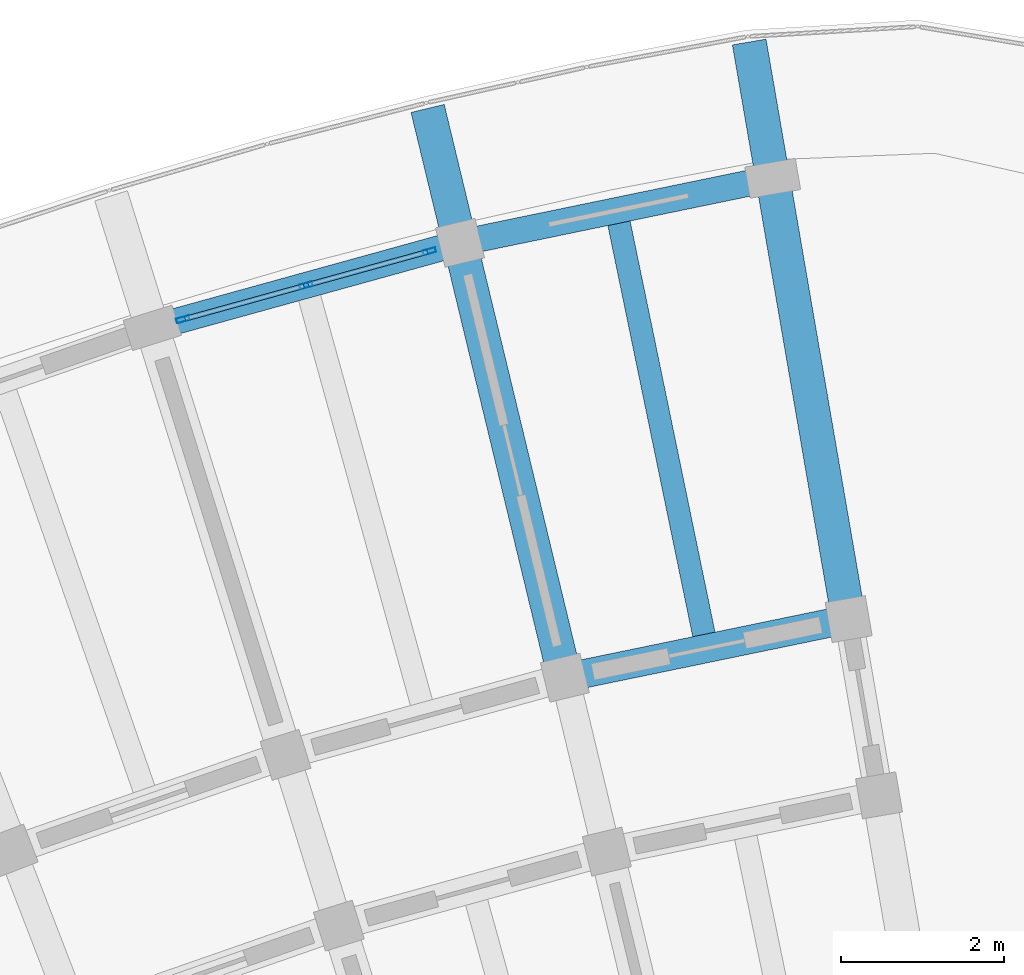
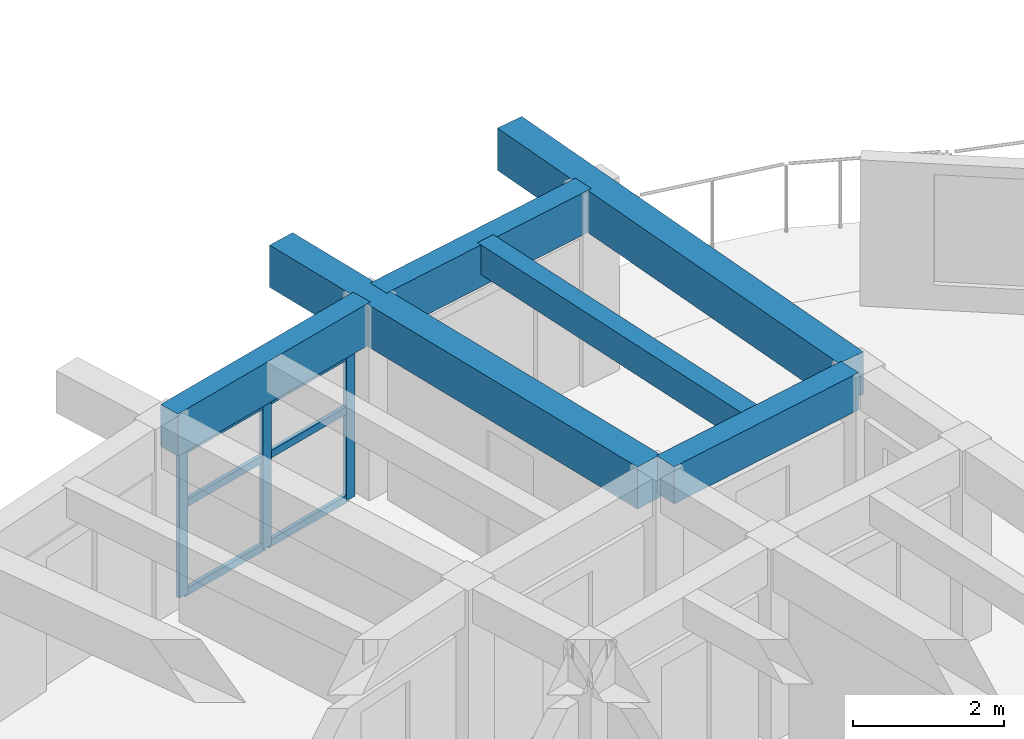
# One storey, part 18 of 62: 9 members, 6 beams, 1 element without a shape of its own.
"""IFC4 building model written with IfcOpenShell, lengths in metres."""

import ifcopenshell
import ifcopenshell.guid

model = None  # the IFC model being written
_history = None  # IfcOwnerHistory: only IFC2X3 demands one
_inside = {}  # id of a spatial element -> (the spatial element, [elements in it])
_under = {}  # id of a project, library or spatial element -> (it, [spatial elements below it])
_declared = {}  # id of a project -> (the project, [libraries it declares])
_typed = {}  # id of a type object -> (the type object, [elements of that type])
_made_of = {}  # id of a material, layer set ... -> (it, [elements and type objects made of it])


def new_model(schema):
    """Start an empty IFC model of exactly this schema.

    Asked for "IFC4X3", IfcOpenShell would pick the latest addendum, in which some entities
    have other attributes; the version numbers below select the first issue.
    IFC2X3 requires an IfcOwnerHistory on every rooted entity: one is made here for all.
    """
    global model, _history
    if schema == "IFC4X3":
        model = ifcopenshell.file(schema_version=(4, 3, 0, 0))
    else:
        model = ifcopenshell.file(schema=schema)
    _inside.clear()
    _under.clear()
    _declared.clear()
    _typed.clear()
    _made_of.clear()
    _history = None
    if model.schema == "IFC2X3":
        org = make("IfcOrganization", Name="unknown")
        user = make(
            "IfcPersonAndOrganization",
            ThePerson=make("IfcPerson", FamilyName="unknown"),
            TheOrganization=org,
        )
        app = make(
            "IfcApplication",
            ApplicationDeveloper=org,
            Version="unknown",
            ApplicationFullName="unknown",
            ApplicationIdentifier="unknown",
        )
        _history = make(
            "IfcOwnerHistory",
            OwningUser=user,
            OwningApplication=app,
            ChangeAction="ADDED",
            CreationDate=0,
        )
    return model


def make(cls, **values):
    """One entity of the class cls with the attributes given. An attribute that is None is left unset."""
    return model.create_entity(
        cls, **{name: value for name, value in values.items() if value is not None}
    )


def rooted(cls, **values):
    """An entity with a GlobalId (a new one), such as an element, a storey or a relation."""
    return make(cls, GlobalId=ifcopenshell.guid.new(), OwnerHistory=_history, **values)


def si_unit(unit_type, name, prefix=None):
    """IfcSIUnit, for example si_unit("LENGTHUNIT", "METRE", prefix="MILLI")."""
    return make("IfcSIUnit", UnitType=unit_type, Prefix=prefix, Name=name)


def assignment(units):
    """IfcUnitAssignment: the units of a project."""
    return None if units is None else make("IfcUnitAssignment", Units=units)


def point(xyz):
    """IfcCartesianPoint."""
    return None if xyz is None else make("IfcCartesianPoint", Coordinates=xyz)


def direction(xyz):
    """IfcDirection."""
    return None if xyz is None else make("IfcDirection", DirectionRatios=xyz)


def frame(location, z_axis=None, x_axis=None):
    """IfcAxis2Placement3D, a coordinate frame: its origin and axes. An axis left out is left unset."""
    return make(
        "IfcAxis2Placement3D",
        Location=point(location),
        Axis=direction(z_axis),
        RefDirection=direction(x_axis),
    )


def frame_2d(location, x_axis=None):
    """IfcAxis2Placement2D, a coordinate frame in the plane: its origin and x axis."""
    return make(
        "IfcAxis2Placement2D", Location=point(location), RefDirection=direction(x_axis)
    )


def origin():
    """The frame at (0, 0, 0) with its axes left unset."""
    return frame((0.0, 0.0, 0.0))


def origin_2d():
    """The frame at (0, 0) in the plane with its x axis left unset."""
    return frame_2d((0.0, 0.0))


def place(relative_to, where):
    """IfcLocalPlacement: puts the frame where relative to a parent placement (None: the world)."""
    return make(
        "IfcLocalPlacement", PlacementRelTo=relative_to, RelativePlacement=where
    )


def context(
    kind, dimensions, precision=None, world=None, true_north=None, identifier=None
):
    """IfcGeometricRepresentationContext, for example the 3D "Model" context."""
    return make(
        "IfcGeometricRepresentationContext",
        ContextIdentifier=identifier,
        ContextType=kind,
        CoordinateSpaceDimension=dimensions,
        Precision=precision,
        WorldCoordinateSystem=world,
        TrueNorth=true_north,
    )


def subcontext(parent, identifier, kind, view, scale=None):
    """IfcGeometricRepresentationSubContext, for example "Body" below "Model"."""
    return make(
        "IfcGeometricRepresentationSubContext",
        ContextIdentifier=identifier,
        ContextType=kind,
        ParentContext=parent,
        TargetScale=scale,
        TargetView=view,
    )


def project(units=None, contexts=None):
    """IfcProject with its units and contexts."""
    return rooted(
        "IfcProject",
        Name="project",
        RepresentationContexts=contexts,
        UnitsInContext=assignment(units),
    )


def spatial(cls, under=None, at=None, **own):
    """A site, building, storey or space (cls), placed at a placement, below another one or the project."""
    s = rooted(cls, ObjectPlacement=at, **own)
    if under is not None:
        _under.setdefault(under.id(), (under, []))[1].append(s)
    return s


def profile(cls, at=None, kind="AREA", **sizes):
    """A parametric profile (cls). Its sizes go by their IFC names, for example OverallWidth=200.0."""
    return make(cls, ProfileType=kind, Position=at, **sizes)


def rectangle(**sizes):
    """IfcRectangleProfileDef."""
    return profile("IfcRectangleProfileDef", **sizes)


def hollow_rectangle(**sizes):
    """IfcRectangleHollowProfileDef."""
    return profile("IfcRectangleHollowProfileDef", **sizes)


def extrude(swept, where, along, depth):
    """IfcExtrudedAreaSolid: the profile swept, set in the frame where, extruded along a direction by depth."""
    return make(
        "IfcExtrudedAreaSolid",
        SweptArea=swept,
        Position=where,
        ExtrudedDirection=direction(along),
        Depth=depth,
    )


def shape(context_of_items, identifier, shape_type, items):
    """IfcShapeRepresentation: the items that make up one representation, for example the "Body"."""
    return make(
        "IfcShapeRepresentation",
        ContextOfItems=context_of_items,
        RepresentationIdentifier=identifier,
        RepresentationType=shape_type,
        Items=items,
    )


def material(Name=None, Category=None):
    """IfcMaterial."""
    return make("IfcMaterial", Name=Name, Category=Category)


def material_profile(
    of_material, cross_section, Name=None, Category=None, Priority=None
):
    """IfcMaterialProfile: a cross section and its material."""
    return make(
        "IfcMaterialProfile",
        Name=Name,
        Material=of_material,
        Profile=cross_section,
        Priority=Priority,
        Category=Category,
    )


def profile_set(profiles, Name=None, composite=None):
    """IfcMaterialProfileSet."""
    return make(
        "IfcMaterialProfileSet",
        Name=Name,
        MaterialProfiles=profiles,
        CompositeProfile=composite,
    )


def made_of(thing, what):
    """Note that an element or type object is made of a material, layer set ...; save() writes the relation."""
    if what is not None:
        _made_of.setdefault(what.id(), (what, []))[1].append(thing)
    return thing


def type_object(cls, material=None, **own):
    """A type object (cls), such as IfcWallType, which elements share."""
    return made_of(rooted(cls, **own), material)


def element(
    cls,
    number,
    at=None,
    inside=None,
    cuts=None,
    type_object=None,
    material=None,
    context=None,
    identifier="Body",
    shape_type=None,
    held_by="IfcProductDefinitionShape",
    body=None,
    shapes=None,
    **own,
):
    """One element of the class cls, such as IfcWall. Its Tag is "e" and its number.

    at: its placement. inside: the storey or other place that contains it. cuts: it is an
    opening in that element (IfcRelVoidsElement). A single representation is given by context,
    identifier, shape_type and body (its items); several are given by shapes. held_by: the class
    of the entity that holds the representations. save() writes the other relations.
    """
    e = rooted(cls, Tag="e%d" % number, ObjectPlacement=at, **own)
    if body is not None:
        shapes = [shape(context, identifier, shape_type, body)]
    if shapes is not None:
        e.Representation = make(held_by, Representations=shapes)
    if inside is not None:
        _inside.setdefault(inside.id(), (inside, []))[1].append(e)
    if cuts is not None:
        rooted(
            "IfcRelVoidsElement", RelatingBuildingElement=cuts, RelatedOpeningElement=e
        )
    if type_object is not None:
        _typed.setdefault(type_object.id(), (type_object, []))[1].append(e)
    return made_of(e, material)


def aggregate(whole, parts):
    """IfcRelAggregates: a whole, such as a stair, and the parts it consists of."""
    return rooted("IfcRelAggregates", RelatingObject=whole, RelatedObjects=parts)


def save(model, path):
    """Write the relations noted so far, then the file.

    IfcRelAggregates (storeys below a building ...), IfcRelContainedInSpatialStructure (elements
    in a storey), IfcRelDefinesByType, IfcRelAssociatesMaterial and IfcRelDeclares: one each for
    every whole, place, type object, material and project.
    """
    for whole, parts in _under.values():
        aggregate(whole, parts)
    for where, things in _inside.values():
        rooted(
            "IfcRelContainedInSpatialStructure",
            RelatedElements=things,
            RelatingStructure=where,
        )
    for kind, things in _typed.values():
        rooted("IfcRelDefinesByType", RelatedObjects=things, RelatingType=kind)
    for what, things in _made_of.values():
        rooted("IfcRelAssociatesMaterial", RelatedObjects=things, RelatingMaterial=what)
    for by, libraries in _declared.values():
        rooted("IfcRelDeclares", RelatingContext=by, RelatedDefinitions=libraries)
    model.write(path)


model = new_model("IFC4")

# Units and contexts
model_context = context("Model", 3, precision=1e-05, world=origin(), true_north=direction((0.0, 1.0)))
body_context = subcontext(model_context, "Body", "Model", "MODEL_VIEW")
ifc_project = project(units=[si_unit("LENGTHUNIT", "METRE"), si_unit("AREAUNIT", "SQUARE_METRE"), si_unit("VOLUMEUNIT", "CUBIC_METRE"), si_unit("PLANEANGLEUNIT", "RADIAN"), si_unit("MASSUNIT", "GRAM", prefix="KILO")], contexts=[model_context])

# Site, building, storey
site_placement = place(None, origin())
site = spatial("IfcSite", under=ifc_project, at=site_placement, CompositionType="ELEMENT")
building_placement = place(site_placement, origin())
building = spatial("IfcBuilding", under=site, at=building_placement, Name="Tanwirah Colonnade Gardens", CompositionType="ELEMENT")
storey_placement = place(building_placement, frame((0.0, 0.0, 32.360107421875)))
storey = spatial("IfcBuildingStorey", under=building, at=storey_placement, Name="L09", CompositionType="ELEMENT", Elevation=32.360107421875)

# Beams
ifc_material_1 = material(Name="Precast concrete C40/50", Category="concrete")
ifc_material_profile_1 = material_profile(ifc_material_1, rectangle(XDim=0.35009765625, YDim=0.60009765625, at=origin_2d()), Name="PC-BM 350x600")
ifc_profile_set_1 = profile_set([ifc_material_profile_1], Name="Precast concrete C40/50")
beam_type_1 = type_object("IfcBeamType", Name="BM-PC350B", PredefinedType="BEAM", material=ifc_profile_set_1)
beam_1_placement = place(storey_placement, frame((55.673828125, 113.4345703125, 2.81494140625), z_axis=(-0.979335599813, -0.202241892146, 0.0), x_axis=(0.202241892146, -0.979335599813, 0.0)))
element("IfcBeam", 1, at=beam_1_placement, inside=storey, type_object=beam_type_1, Name="Block A L09 Circumferential Beam 1-R2", PredefinedType="BEAM", context=body_context, shape_type="SweptSolid", body=[
    extrude(rectangle(XDim=0.35009765625, YDim=0.60009765625, at=origin_2d()), origin(), (0.0, 0.0, 1.0), 3.262939453125),
])
ifc_material_2 = material(Name="Precast concrete C45/55", Category="concrete")
ifc_material_profile_2 = material_profile(ifc_material_2, rectangle(XDim=0.419921875, YDim=0.679931640625, at=origin_2d()), Name="PC-BM 420x680")
ifc_profile_set_2 = profile_set([ifc_material_profile_2], Name="Precast concrete C45/55")
beam_type_2 = type_object("IfcBeamType", Name="BM-PC420", PredefinedType="BEAM", material=ifc_profile_set_2)
for number, where, z_axis, x_axis, name in (
    (2, (55.79541015625, 113.61279296875, 2.77490234375), (-0.169826898404, 0.985473908624, 0.0), (-0.985473908624, -0.169826898404, 0.0), "Block A L09 Outer Radial Precast Girder 1"),
    (3, (52.296142578125, 112.89013671875, 2.77490234375), (-0.234378734126, 0.972145364125, 0.0), (-0.972145364125, -0.234378734126, 0.0), "Block A L09 Outer Radial Precast Girder 2"),
):
    element("IfcBeam", number, at=place(storey_placement, frame(where, z_axis=z_axis, x_axis=x_axis)), inside=storey, type_object=beam_type_2, Name=name, PredefinedType="BEAM", context=body_context, shape_type="SweptSolid", body=[
        extrude(rectangle(XDim=0.419921875, YDim=0.679931640625, at=origin_2d()), origin(), (0.0, 0.0, 1.0), 7.0498046875),
    ])

# Curtain wall, members
ifc_material_3 = material(Name="Bronze-anodised aluminium and solar-control low-E glass", Category="aluminium")
curtain_wall_type = type_object("IfcCurtainWallType", Name="CW-LOB", PredefinedType="NOTDEFINED", material=ifc_material_3)
curtain_wall_placement = place(storey_placement, origin())
curtain_wall = element("IfcCurtainWall", 4, at=curtain_wall_placement, inside=storey, type_object=curtain_wall_type, Name="Curtain Wall CW-A-L09-OUT-02", PredefinedType="NOTDEFINED")
ifc_material_4 = material(Name="Bronze-anodised aluminium", Category="aluminium")
ifc_material_profile_3 = material_profile(ifc_material_4, hollow_rectangle(XDim=0.06005859375, YDim=0.159912109375, WallThickness=0.00390625, at=origin_2d()), Name="CW-MUL 60x160x4")
ifc_profile_set_3 = profile_set([ifc_material_profile_3], Name="Bronze-anodised aluminium")
member_type_1 = type_object("IfcMemberType", Name="CWM-60x160", PredefinedType="MULLION", material=ifc_profile_set_3)
member_1_placement = place(storey_placement, frame((50.666259765625, 117.9873046875, 0.0), z_axis=(0.0, 0.0, 1.0), x_axis=(0.266303728268, -0.963889165989, 0.0)))
member_1 = element("IfcMember", 5, at=member_1_placement, type_object=member_type_1, Name="CW-LOB mullion 1", PredefinedType="MULLION", context=body_context, shape_type="SweptSolid", body=[
    extrude(hollow_rectangle(XDim=0.06005859375, YDim=0.159912109375, WallThickness=0.00390625, at=origin_2d()), origin(), (0.0, 0.0, 1.0), 2.35498046875),
])
member_2_placement = place(storey_placement, frame((49.150146484375, 117.568359375, 0.0), z_axis=(0.0, 0.0, 1.0), x_axis=(0.266303728268, -0.963889165989, 0.0)))
member_2 = element("IfcMember", 6, at=member_2_placement, type_object=member_type_1, Name="CW-LOB mullion 2", PredefinedType="MULLION", context=body_context, shape_type="SweptSolid", body=[
    extrude(hollow_rectangle(XDim=0.06005859375, YDim=0.159912109375, WallThickness=0.00390625, at=origin_2d()), origin(), (0.0, 0.0, 1.0), 2.35498046875),
])
member_3_placement = place(storey_placement, frame((47.63427734375, 117.149658203125, 0.0), z_axis=(0.0, 0.0, 1.0), x_axis=(0.266303728268, -0.963889165989, 0.0)))
member_3 = element("IfcMember", 7, at=member_3_placement, type_object=member_type_1, Name="CW-LOB mullion 3", PredefinedType="MULLION", context=body_context, shape_type="SweptSolid", body=[
    extrude(hollow_rectangle(XDim=0.06005859375, YDim=0.159912109375, WallThickness=0.00390625, at=origin_2d()), origin(), (0.0, 0.0, 1.0), 2.35498046875),
])
ifc_material_profile_4 = material_profile(ifc_material_4, hollow_rectangle(XDim=0.06005859375, YDim=0.1201171875, WallThickness=0.00390625, at=origin_2d()), Name="CW-TRN 60x120x4")
ifc_profile_set_4 = profile_set([ifc_material_profile_4], Name="Bronze-anodised aluminium")
member_type_2 = type_object("IfcMemberType", Name="CWT-60x120", PredefinedType="USERDEFINED", material=ifc_profile_set_4)
member_4_placement = place(storey_placement, frame((50.637451171875, 117.979248046875, 0.02978515625), z_axis=(-0.963898406972, -0.266270278169, 0.0), x_axis=(0.266270278169, -0.963898406972, 0.0)))
member_4 = element("IfcMember", 8, at=member_4_placement, type_object=member_type_2, Name="CW-LOB transom 1.1", ObjectType="TRANSOM", PredefinedType="USERDEFINED", context=body_context, shape_type="SweptSolid", body=[
    extrude(hollow_rectangle(XDim=0.06005859375, YDim=0.1201171875, WallThickness=0.00390625, at=origin_2d()), origin(), (0.0, 0.0, 1.0), 1.512939453125),
])
member_5_placement = place(storey_placement, frame((50.637451171875, 117.979248046875, 1.4599609375), z_axis=(-0.963898406972, -0.266270278169, 0.0), x_axis=(0.266270278169, -0.963898406972, 0.0)))
member_5 = element("IfcMember", 9, at=member_5_placement, type_object=member_type_2, Name="CW-LOB transom 1.2", ObjectType="TRANSOM", PredefinedType="USERDEFINED", context=body_context, shape_type="SweptSolid", body=[
    extrude(hollow_rectangle(XDim=0.06005859375, YDim=0.1201171875, WallThickness=0.00390625, at=origin_2d()), origin(), (0.0, 0.0, 1.0), 1.512939453125),
])
member_6_placement = place(storey_placement, frame((50.637451171875, 117.979248046875, 2.324951171875), z_axis=(-0.963898406972, -0.266270278169, 0.0), x_axis=(0.266270278169, -0.963898406972, 0.0)))
member_6 = element("IfcMember", 10, at=member_6_placement, type_object=member_type_2, Name="CW-LOB transom 1.3", ObjectType="TRANSOM", PredefinedType="USERDEFINED", context=body_context, shape_type="SweptSolid", body=[
    extrude(hollow_rectangle(XDim=0.06005859375, YDim=0.1201171875, WallThickness=0.00390625, at=origin_2d()), origin(), (0.0, 0.0, 1.0), 1.512939453125),
])
member_7_placement = place(storey_placement, frame((49.121337890625, 117.560302734375, 0.02978515625), z_axis=(-0.963898406972, -0.266270278169, 0.0), x_axis=(0.266270278169, -0.963898406972, 0.0)))
member_7 = element("IfcMember", 11, at=member_7_placement, type_object=member_type_2, Name="CW-LOB transom 2.1", ObjectType="TRANSOM", PredefinedType="USERDEFINED", context=body_context, shape_type="SweptSolid", body=[
    extrude(hollow_rectangle(XDim=0.06005859375, YDim=0.1201171875, WallThickness=0.00390625, at=origin_2d()), origin(), (0.0, 0.0, 1.0), 1.512939453125),
])
member_8_placement = place(storey_placement, frame((49.121337890625, 117.560302734375, 1.4599609375), z_axis=(-0.963898406972, -0.266270278169, 0.0), x_axis=(0.266270278169, -0.963898406972, 0.0)))
member_8 = element("IfcMember", 12, at=member_8_placement, type_object=member_type_2, Name="CW-LOB transom 2.2", ObjectType="TRANSOM", PredefinedType="USERDEFINED", context=body_context, shape_type="SweptSolid", body=[
    extrude(hollow_rectangle(XDim=0.06005859375, YDim=0.1201171875, WallThickness=0.00390625, at=origin_2d()), origin(), (0.0, 0.0, 1.0), 1.512939453125),
])
member_9_placement = place(storey_placement, frame((49.121337890625, 117.560302734375, 2.324951171875), z_axis=(-0.963898406972, -0.266270278169, 0.0), x_axis=(0.266270278169, -0.963898406972, 0.0)))
member_9 = element("IfcMember", 13, at=member_9_placement, type_object=member_type_2, Name="CW-LOB transom 2.3", ObjectType="TRANSOM", PredefinedType="USERDEFINED", context=body_context, shape_type="SweptSolid", body=[
    extrude(hollow_rectangle(XDim=0.06005859375, YDim=0.1201171875, WallThickness=0.00390625, at=origin_2d()), origin(), (0.0, 0.0, 1.0), 1.512939453125),
])
aggregate(curtain_wall, [member_1, member_2, member_3, member_4, member_5, member_6, member_7, member_8, member_9])

# Beams
ifc_material_profile_5 = material_profile(ifc_material_1, rectangle(XDim=0.280029296875, YDim=0.47998046875, at=origin_2d()), Name="PC-JST 280x480")
ifc_profile_set_5 = profile_set([ifc_material_profile_5], Name="Precast concrete C40/50")
beam_type_3 = type_object("IfcBeamType", Name="JST-PC280", PredefinedType="JOIST", material=ifc_profile_set_5)
beam_2_placement = place(storey_placement, frame((54.0458984375, 113.2509765625, 2.875), z_axis=(-0.202235688429, 0.979336880918, 0.0), x_axis=(-0.979336880918, -0.202235688429, 0.0)))
element("IfcBeam", 14, at=beam_2_placement, inside=storey, type_object=beam_type_3, Name="Block A L09 Precast Floor Joist 1", PredefinedType="JOIST", context=body_context, shape_type="SweptSolid", body=[
    extrude(rectangle(XDim=0.280029296875, YDim=0.47998046875, at=origin_2d()), origin(), (0.0, 0.0, 1.0), 5.259765625),
])
ifc_material_profile_6 = material_profile(ifc_material_2, rectangle(XDim=0.320068359375, YDim=0.679931640625, at=origin_2d()), Name="PC-SP 320x680")
ifc_profile_set_6 = profile_set([ifc_material_profile_6], Name="Precast concrete C45/55")
beam_type_4 = type_object("IfcBeamType", Name="SP-PC320", PredefinedType="SPANDREL", material=ifc_profile_set_6)
for number, where, z_axis, x_axis, name in (
    (15, (54.739990234375, 118.854736328125, 2.77490234375), (-0.979328544205, -0.202276055197, 0.0), (0.202276055197, -0.979328544205, 0.0), "Block A L09 Circumferential Beam 1-R3"),
    (16, (50.897705078125, 118.05126953125, 2.77490234375), (-0.963888380927, -0.266306569792, 0.0), (0.266306569792, -0.963888380927, 0.0), "Block A L09 Circumferential Beam 2-R3"),
):
    element("IfcBeam", number, at=place(storey_placement, frame(where, z_axis=z_axis, x_axis=x_axis)), inside=storey, type_object=beam_type_4, Name=name, PredefinedType="SPANDREL", context=body_context, shape_type="SweptSolid", body=[
        extrude(rectangle(XDim=0.320068359375, YDim=0.679931640625, at=origin_2d()), origin(), (0.0, 0.0, 1.0), 3.625732421875),
    ])

save(model, "model.ifc")
